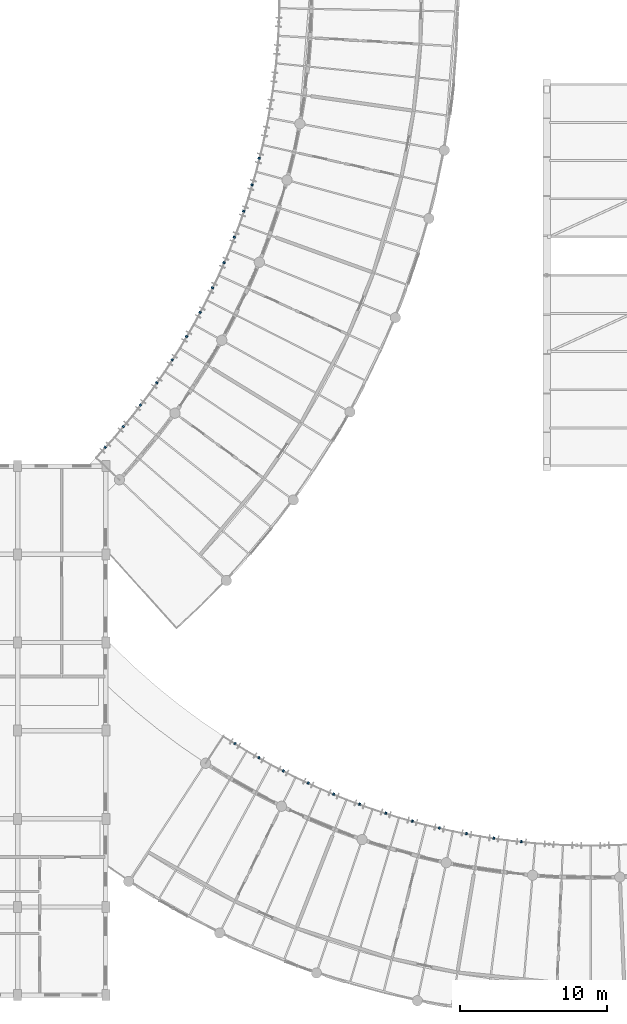
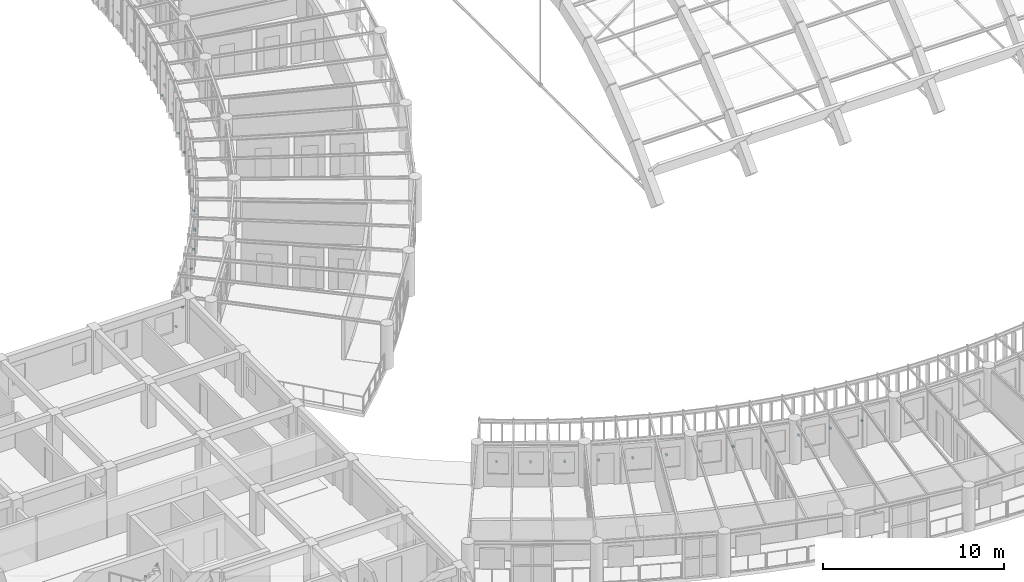
# One storey, part 103 of 123: 25 discrete accessories.
"""IFC4 building model written with IfcOpenShell, lengths in metres."""

from ifc_helpers import new_model, si_unit, direction, frame, origin, origin_2d, place, context, subcontext, project, spatial, rectangle, extrude, material, type_object, element, save


model = new_model("IFC4")

# Units and contexts
model_context = context("Model", 3, precision=1e-05, world=origin(), true_north=direction((0.0, 1.0)))
body_context = subcontext(model_context, "Body", "Model", "MODEL_VIEW")
ifc_project = project(units=[si_unit("LENGTHUNIT", "METRE"), si_unit("AREAUNIT", "SQUARE_METRE"), si_unit("VOLUMEUNIT", "CUBIC_METRE"), si_unit("PLANEANGLEUNIT", "RADIAN"), si_unit("MASSUNIT", "GRAM", prefix="KILO"), si_unit("POWERUNIT", "WATT"), si_unit("THERMODYNAMICTEMPERATUREUNIT", "KELVIN")], contexts=[model_context])

# Site, building, storey
site_placement = place(None, origin())
site = spatial("IfcSite", under=ifc_project, at=site_placement, CompositionType="ELEMENT")
building_placement = place(site_placement, origin())
building = spatial("IfcBuilding", under=site, at=building_placement, Name="Ruvembo Vaulted Housing Court", CompositionType="ELEMENT")
storey_placement = place(building_placement, frame((0.0, 0.0, 7.699951171875)))
storey = spatial("IfcBuildingStorey", under=building, at=storey_placement, Name="L02", CompositionType="ELEMENT", Elevation=7.699951171875)

# Discrete accessories
ifc_material = material(Name="Stainless Steel Grade 316", Category="steel")
discrete_accessory_type = type_object("IfcDiscreteAccessoryType", Name="ACC-BRACKET-SS", PredefinedType="BRACKET", material=ifc_material)
for number, where, z_axis, x_axis, name in (
    (1, (35.958984375, 43.282958984375, 0.030029296875), (0.0, 0.0, 1.0), (0.741601288413, -0.670840911859, 0.0), "Stainless Louvre Rail Bracket #20"),
    (2, (37.18896484375, 44.69970703125, 0.030029296875), (0.0, 0.0, 1.0), (0.768495749762, -0.63985489183, 0.0), "Stainless Louvre Rail Bracket #21"),
    (3, (38.359619140625, 46.166015625, 0.030029296875), (0.0, 0.0, 1.0), (0.794043447551, -0.607861006646, 0.0), "Stainless Louvre Rail Bracket #22"),
    (4, (39.46923828125, 47.6787109375, 0.030029296875), (0.0, 0.0, 1.0), (0.818280160918, -0.574819604962, 0.0), "Stainless Louvre Rail Bracket #23"),
    (5, (40.51611328125, 49.23583984375, 0.030029296875), (0.0, 0.0, 1.0), (0.841114539051, -0.540857034896, 0.0), "Stainless Louvre Rail Bracket #24"),
    (6, (41.498291015625, 50.83447265625, 0.030029296875), (0.0, 0.0, 1.0), (0.862619633753, -0.505853108583, 0.0), "Stainless Louvre Rail Bracket #25"),
    (7, (42.4140625, 52.471923828125, 0.030029296875), (0.0, 0.0, 1.0), (0.882586804261, -0.470149479362, 0.0), "Stainless Louvre Rail Bracket #26"),
    (8, (43.26220703125, 54.145751953125, 0.030029296875), (0.0, 0.0, 1.0), (0.901099726423, -0.433611903711, 0.0), "Stainless Louvre Rail Bracket #27"),
    (9, (44.040771484375, 55.852783203125, 0.030029296875), (0.0, 0.0, 1.0), (0.918121604514, -0.396298775325, 0.0), "Stainless Louvre Rail Bracket #28"),
    (10, (44.7490234375, 57.590087890625, 0.030029296875), (0.0, 0.0, 1.0), (0.933567916527, -0.358400537432, 0.0), "Stainless Louvre Rail Bracket #29"),
    (11, (45.385498046875, 59.355224609375, 0.030029296875), (0.0, 0.0, 1.0), (0.947472959386, -0.319835881714, 0.0), "Stainless Louvre Rail Bracket #30"),
    (12, (45.948974609375, 61.144775390625, 0.030029296875), (0.0, 0.0, 1.0), (0.959790594985, -0.280716963824, 0.0), "Stainless Louvre Rail Bracket #31"),
    (13, (46.438720703125, 62.9560546875, 0.030029296875), (0.0, 0.0, 1.0), (0.970481222826, -0.241176690711, 0.0), "Stainless Louvre Rail Bracket #32"),
    (14, (44.79638671875, 23.129150390625, 0.030029296875), (0.0, 0.0, 1.0), (-0.528556868381, -0.848897895443, 0.0), "Stainless Louvre Rail Bracket #124"),
    (15, (46.420166015625, 22.1640625, 0.030029296875), (0.0, 0.0, 1.0), (-0.493106983922, -0.86996867898, 0.0), "Stainless Louvre Rail Bracket #125"),
    (16, (48.082275390625, 21.266845703125, 0.030029296875), (0.0, 0.0, 1.0), (-0.456849537333, -0.889543984432, 0.0), "Stainless Louvre Rail Bracket #126"),
    (17, (49.780029296875, 20.438720703125, 0.030029296875), (0.0, 0.0, 1.0), (-0.419737248448, -0.90764565898, 0.0), "Stainless Louvre Rail Bracket #127"),
    (18, (51.510498046875, 19.681396484375, 0.030029296875), (0.0, 0.0, 1.0), (-0.381957701122, -0.924179806398, 0.0), "Stainless Louvre Rail Bracket #128"),
    (19, (53.2705078125, 18.99609375, 0.030029296875), (0.0, 0.0, 1.0), (-0.343512177766, -0.939148222447, 0.0), "Stainless Louvre Rail Bracket #129"),
    (20, (55.0576171875, 18.384033203125, 0.030029296875), (0.0, 0.0, 1.0), (-0.304448708958, -0.952528731122, 0.0), "Stainless Louvre Rail Bracket #130"),
    (21, (56.8681640625, 17.84619140625, 0.030029296875), (0.0, 0.0, 1.0), (-0.264983965035, -0.96425281865, 0.0), "Stainless Louvre Rail Bracket #131"),
    (22, (58.699462890625, 17.38330078125, 0.030029296875), (0.0, 0.0, 1.0), (-0.224951054344, -0.974370064785, 0.0), "Stainless Louvre Rail Bracket #132"),
    (23, (60.54833984375, 16.996337890625, 0.030029296875), (0.0, 0.0, 1.0), (-0.184568910756, -0.982819575091, 0.0), "Stainless Louvre Rail Bracket #133"),
    (24, (62.41162109375, 16.686279296875, 0.030029296875), (0.0, 0.0, 1.0), (-0.143872610257, -0.989596216655, 0.0), "Stainless Louvre Rail Bracket #134"),
    (25, (64.285888671875, 16.452880859375, 0.030029296875), (0.0, 0.0, 1.0), (-0.102948783072, -0.994686658232, 0.0), "Stainless Louvre Rail Bracket #135"),
):
    element("IfcDiscreteAccessory", number, at=place(storey_placement, frame(where, z_axis=z_axis, x_axis=x_axis)), inside=storey, type_object=discrete_accessory_type, Name=name, PredefinedType="BRACKET", context=body_context, shape_type="SweptSolid", body=[
        extrude(rectangle(XDim=0.159912109375, YDim=0.1201171875, at=origin_2d()), origin(), (0.0, 0.0, 1.0), 0.10009765625),
    ])

save(model, "model.ifc")
